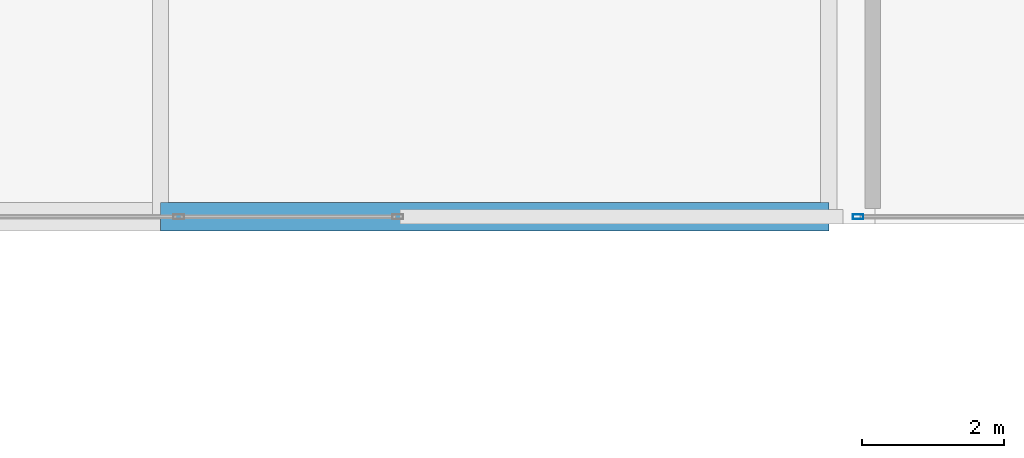
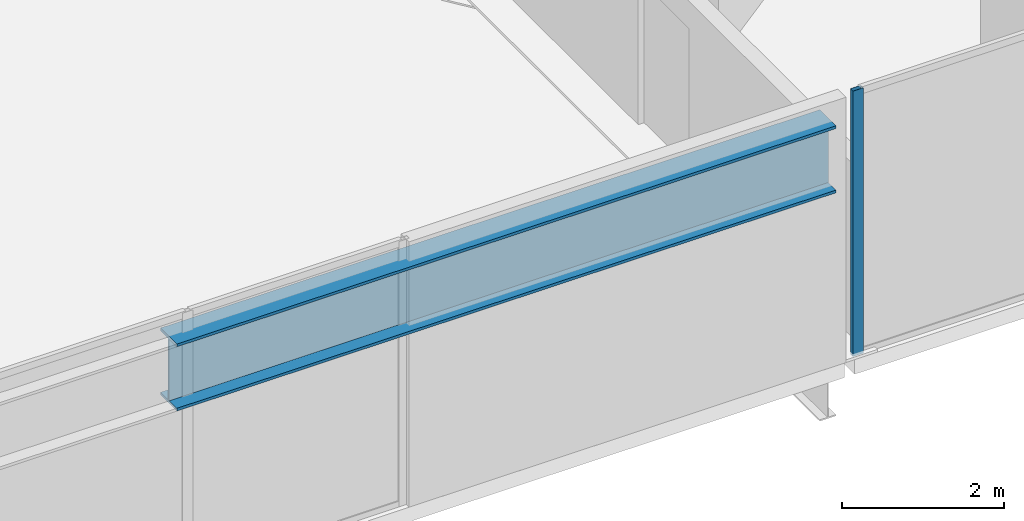
# One storey, part 22 of 51: 1 beam, 1 member, 1 element without a shape of its own.
"""IFC4 building model written with IfcOpenShell, lengths in metres."""

import ifcopenshell
import ifcopenshell.guid

model = None  # the IFC model being written
_history = None  # IfcOwnerHistory: only IFC2X3 demands one
_inside = {}  # id of a spatial element -> (the spatial element, [elements in it])
_under = {}  # id of a project, library or spatial element -> (it, [spatial elements below it])
_declared = {}  # id of a project -> (the project, [libraries it declares])
_typed = {}  # id of a type object -> (the type object, [elements of that type])
_made_of = {}  # id of a material, layer set ... -> (it, [elements and type objects made of it])


def new_model(schema):
    """Start an empty IFC model of exactly this schema.

    Asked for "IFC4X3", IfcOpenShell would pick the latest addendum, in which some entities
    have other attributes; the version numbers below select the first issue.
    IFC2X3 requires an IfcOwnerHistory on every rooted entity: one is made here for all.
    """
    global model, _history
    if schema == "IFC4X3":
        model = ifcopenshell.file(schema_version=(4, 3, 0, 0))
    else:
        model = ifcopenshell.file(schema=schema)
    _inside.clear()
    _under.clear()
    _declared.clear()
    _typed.clear()
    _made_of.clear()
    _history = None
    if model.schema == "IFC2X3":
        org = make("IfcOrganization", Name="unknown")
        user = make(
            "IfcPersonAndOrganization",
            ThePerson=make("IfcPerson", FamilyName="unknown"),
            TheOrganization=org,
        )
        app = make(
            "IfcApplication",
            ApplicationDeveloper=org,
            Version="unknown",
            ApplicationFullName="unknown",
            ApplicationIdentifier="unknown",
        )
        _history = make(
            "IfcOwnerHistory",
            OwningUser=user,
            OwningApplication=app,
            ChangeAction="ADDED",
            CreationDate=0,
        )
    return model


def make(cls, **values):
    """One entity of the class cls with the attributes given. An attribute that is None is left unset."""
    return model.create_entity(
        cls, **{name: value for name, value in values.items() if value is not None}
    )


def rooted(cls, **values):
    """An entity with a GlobalId (a new one), such as an element, a storey or a relation."""
    return make(cls, GlobalId=ifcopenshell.guid.new(), OwnerHistory=_history, **values)


def si_unit(unit_type, name, prefix=None):
    """IfcSIUnit, for example si_unit("LENGTHUNIT", "METRE", prefix="MILLI")."""
    return make("IfcSIUnit", UnitType=unit_type, Prefix=prefix, Name=name)


def assignment(units):
    """IfcUnitAssignment: the units of a project."""
    return None if units is None else make("IfcUnitAssignment", Units=units)


def point(xyz):
    """IfcCartesianPoint."""
    return None if xyz is None else make("IfcCartesianPoint", Coordinates=xyz)


def direction(xyz):
    """IfcDirection."""
    return None if xyz is None else make("IfcDirection", DirectionRatios=xyz)


def frame(location, z_axis=None, x_axis=None):
    """IfcAxis2Placement3D, a coordinate frame: its origin and axes. An axis left out is left unset."""
    return make(
        "IfcAxis2Placement3D",
        Location=point(location),
        Axis=direction(z_axis),
        RefDirection=direction(x_axis),
    )


def frame_2d(location, x_axis=None):
    """IfcAxis2Placement2D, a coordinate frame in the plane: its origin and x axis."""
    return make(
        "IfcAxis2Placement2D", Location=point(location), RefDirection=direction(x_axis)
    )


def origin():
    """The frame at (0, 0, 0) with its axes left unset."""
    return frame((0.0, 0.0, 0.0))


def origin_2d():
    """The frame at (0, 0) in the plane with its x axis left unset."""
    return frame_2d((0.0, 0.0))


def place(relative_to, where):
    """IfcLocalPlacement: puts the frame where relative to a parent placement (None: the world)."""
    return make(
        "IfcLocalPlacement", PlacementRelTo=relative_to, RelativePlacement=where
    )


def context(
    kind, dimensions, precision=None, world=None, true_north=None, identifier=None
):
    """IfcGeometricRepresentationContext, for example the 3D "Model" context."""
    return make(
        "IfcGeometricRepresentationContext",
        ContextIdentifier=identifier,
        ContextType=kind,
        CoordinateSpaceDimension=dimensions,
        Precision=precision,
        WorldCoordinateSystem=world,
        TrueNorth=true_north,
    )


def subcontext(parent, identifier, kind, view, scale=None):
    """IfcGeometricRepresentationSubContext, for example "Body" below "Model"."""
    return make(
        "IfcGeometricRepresentationSubContext",
        ContextIdentifier=identifier,
        ContextType=kind,
        ParentContext=parent,
        TargetScale=scale,
        TargetView=view,
    )


def project(units=None, contexts=None):
    """IfcProject with its units and contexts."""
    return rooted(
        "IfcProject",
        Name="project",
        RepresentationContexts=contexts,
        UnitsInContext=assignment(units),
    )


def spatial(cls, under=None, at=None, **own):
    """A site, building, storey or space (cls), placed at a placement, below another one or the project."""
    s = rooted(cls, ObjectPlacement=at, **own)
    if under is not None:
        _under.setdefault(under.id(), (under, []))[1].append(s)
    return s


def profile(cls, at=None, kind="AREA", **sizes):
    """A parametric profile (cls). Its sizes go by their IFC names, for example OverallWidth=200.0."""
    return make(cls, ProfileType=kind, Position=at, **sizes)


def hollow_rectangle(**sizes):
    """IfcRectangleHollowProfileDef."""
    return profile("IfcRectangleHollowProfileDef", **sizes)


def i_section(**sizes):
    """IfcIShapeProfileDef."""
    return profile("IfcIShapeProfileDef", **sizes)


def extrude(swept, where, along, depth):
    """IfcExtrudedAreaSolid: the profile swept, set in the frame where, extruded along a direction by depth."""
    return make(
        "IfcExtrudedAreaSolid",
        SweptArea=swept,
        Position=where,
        ExtrudedDirection=direction(along),
        Depth=depth,
    )


def shape(context_of_items, identifier, shape_type, items):
    """IfcShapeRepresentation: the items that make up one representation, for example the "Body"."""
    return make(
        "IfcShapeRepresentation",
        ContextOfItems=context_of_items,
        RepresentationIdentifier=identifier,
        RepresentationType=shape_type,
        Items=items,
    )


def material(Name=None, Category=None):
    """IfcMaterial."""
    return make("IfcMaterial", Name=Name, Category=Category)


def material_profile(
    of_material, cross_section, Name=None, Category=None, Priority=None
):
    """IfcMaterialProfile: a cross section and its material."""
    return make(
        "IfcMaterialProfile",
        Name=Name,
        Material=of_material,
        Profile=cross_section,
        Priority=Priority,
        Category=Category,
    )


def profile_set(profiles, Name=None, composite=None):
    """IfcMaterialProfileSet."""
    return make(
        "IfcMaterialProfileSet",
        Name=Name,
        MaterialProfiles=profiles,
        CompositeProfile=composite,
    )


def made_of(thing, what):
    """Note that an element or type object is made of a material, layer set ...; save() writes the relation."""
    if what is not None:
        _made_of.setdefault(what.id(), (what, []))[1].append(thing)
    return thing


def type_object(cls, material=None, **own):
    """A type object (cls), such as IfcWallType, which elements share."""
    return made_of(rooted(cls, **own), material)


def element(
    cls,
    number,
    at=None,
    inside=None,
    cuts=None,
    type_object=None,
    material=None,
    context=None,
    identifier="Body",
    shape_type=None,
    held_by="IfcProductDefinitionShape",
    body=None,
    shapes=None,
    **own,
):
    """One element of the class cls, such as IfcWall. Its Tag is "e" and its number.

    at: its placement. inside: the storey or other place that contains it. cuts: it is an
    opening in that element (IfcRelVoidsElement). A single representation is given by context,
    identifier, shape_type and body (its items); several are given by shapes. held_by: the class
    of the entity that holds the representations. save() writes the other relations.
    """
    e = rooted(cls, Tag="e%d" % number, ObjectPlacement=at, **own)
    if body is not None:
        shapes = [shape(context, identifier, shape_type, body)]
    if shapes is not None:
        e.Representation = make(held_by, Representations=shapes)
    if inside is not None:
        _inside.setdefault(inside.id(), (inside, []))[1].append(e)
    if cuts is not None:
        rooted(
            "IfcRelVoidsElement", RelatingBuildingElement=cuts, RelatedOpeningElement=e
        )
    if type_object is not None:
        _typed.setdefault(type_object.id(), (type_object, []))[1].append(e)
    return made_of(e, material)


def aggregate(whole, parts):
    """IfcRelAggregates: a whole, such as a stair, and the parts it consists of."""
    return rooted("IfcRelAggregates", RelatingObject=whole, RelatedObjects=parts)


def save(model, path):
    """Write the relations noted so far, then the file.

    IfcRelAggregates (storeys below a building ...), IfcRelContainedInSpatialStructure (elements
    in a storey), IfcRelDefinesByType, IfcRelAssociatesMaterial and IfcRelDeclares: one each for
    every whole, place, type object, material and project.
    """
    for whole, parts in _under.values():
        aggregate(whole, parts)
    for where, things in _inside.values():
        rooted(
            "IfcRelContainedInSpatialStructure",
            RelatedElements=things,
            RelatingStructure=where,
        )
    for kind, things in _typed.values():
        rooted("IfcRelDefinesByType", RelatedObjects=things, RelatingType=kind)
    for what, things in _made_of.values():
        rooted("IfcRelAssociatesMaterial", RelatedObjects=things, RelatingMaterial=what)
    for by, libraries in _declared.values():
        rooted("IfcRelDeclares", RelatingContext=by, RelatedDefinitions=libraries)
    model.write(path)


model = new_model("IFC4")

# Units and contexts
model_context = context("Model", 3, precision=1e-05, world=origin(), true_north=direction((0.0, 1.0)))
body_context = subcontext(model_context, "Body", "Model", "MODEL_VIEW")
ifc_project = project(units=[si_unit("LENGTHUNIT", "METRE"), si_unit("AREAUNIT", "SQUARE_METRE"), si_unit("VOLUMEUNIT", "CUBIC_METRE"), si_unit("PLANEANGLEUNIT", "RADIAN"), si_unit("MASSUNIT", "GRAM", prefix="KILO")], contexts=[model_context])

# Site, building, storey
site_placement = place(None, origin())
site = spatial("IfcSite", under=ifc_project, at=site_placement, CompositionType="ELEMENT")
building_placement = place(site_placement, origin())
building = spatial("IfcBuilding", under=site, at=building_placement, Name="Tashvorn Skyway Center", CompositionType="ELEMENT")
storey_placement = place(building_placement, frame((0.0, 0.0, 259.39990234375)))
storey = spatial("IfcBuildingStorey", under=building, at=storey_placement, Name="L70", CompositionType="ELEMENT", Elevation=259.39990234375)

# Beam
ifc_material_1 = material(Name="Steel ASTM A913 Grade 65", Category="steel")
ifc_material_profile_1 = material_profile(ifc_material_1, i_section(OverallWidth=0.40087890625, OverallDepth=1.010986328125, WebThickness=0.023681640625, FlangeThickness=0.0419921875, at=origin_2d()), Name="W40X297")
ifc_profile_set_1 = profile_set([ifc_material_profile_1], Name="Steel ASTM A913 Grade 65")
beam_type = type_object("IfcBeamType", Name="BM-BEAM-W40X297", PredefinedType="BEAM", material=ifc_profile_set_1)
beam_placement = place(storey_placement, frame((85.10009765625, 24.10009765625, 3.194580078125), z_axis=(1.0, 0.0, 0.0), x_axis=(0.0, 1.0, 0.0)))
element("IfcBeam", 1, at=beam_placement, inside=storey, type_object=beam_type, Name="Sky-Park Truss 1 Top Chord Panel 09", PredefinedType="BEAM", context=body_context, shape_type="SweptSolid", body=[
    extrude(i_section(OverallWidth=0.40087890625, OverallDepth=1.010986328125, WebThickness=0.023681640625, FlangeThickness=0.0419921875, at=origin_2d()), origin(), (0.0, 0.0, 1.0), 9.39990234375),
])

# Curtain wall, member
ifc_material_2 = material(Name="Thermally broken bronze-anodized aluminium 6063-T6", Category="aluminium")
curtain_wall_type = type_object("IfcCurtainWallType", Name="CW-CW-SKY", PredefinedType="NOTDEFINED", material=ifc_material_2)
curtain_wall_placement = place(storey_placement, origin())
curtain_wall = element("IfcCurtainWall", 2, at=curtain_wall_placement, inside=storey, type_object=curtain_wall_type, Name="Tower 2 L70 Vestibule South Curtain Wall", PredefinedType="NOTDEFINED")
ifc_material_profile_2 = material_profile(ifc_material_2, hollow_rectangle(XDim=0.06494140625, YDim=0.14990234375, WallThickness=0.00390625, at=origin_2d()), Name="ALU-MULL-65x150")
ifc_profile_set_2 = profile_set([ifc_material_profile_2], Name="Thermally broken bronze-anodized aluminium 6063-T6")
member_type = type_object("IfcMemberType", Name="CWM-CW-SKY", PredefinedType="MULLION", material=ifc_profile_set_2)
member_placement = place(storey_placement, frame((94.91259765625, 24.10009765625, 0.0), z_axis=(0.0, 0.0, 1.0), x_axis=(0.0, -1.0, 0.0)))
member = element("IfcMember", 3, at=member_placement, type_object=member_type, Name="CW-SKY mullion 2", PredefinedType="MULLION", context=body_context, shape_type="SweptSolid", body=[
    extrude(hollow_rectangle(XDim=0.06494140625, YDim=0.14990234375, WallThickness=0.00390625, at=origin_2d()), origin(), (0.0, 0.0, 1.0), 4.0),
])
aggregate(curtain_wall, [member])

save(model, "model.ifc")
